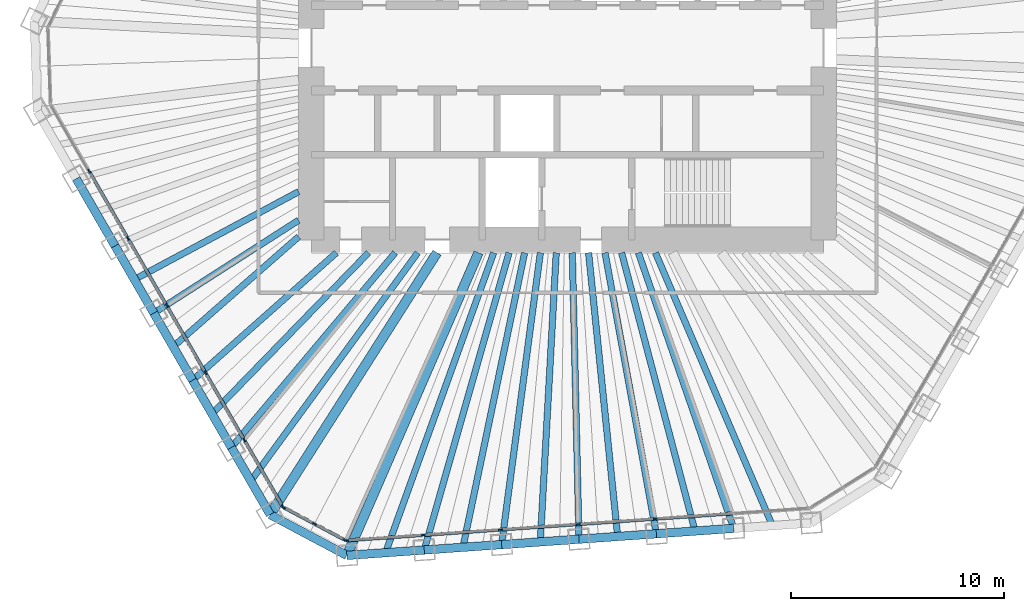
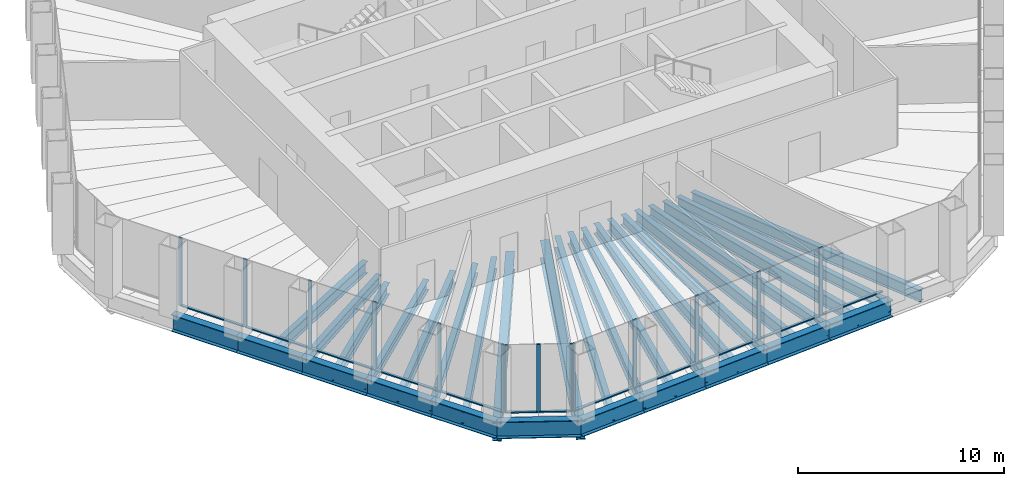
# One storey, part 2 of 13: 31 beams, 26 members, 3 elements without a shape of their own.
"""IFC4 building model written with IfcOpenShell, lengths in metres."""

from ifc_helpers import new_model, si_unit, direction, frame, origin, origin_2d, place, context, subcontext, project, spatial, rectangle, i_section, extrude, material, material_profile, profile_set, type_object, element, aggregate, save


model = new_model("IFC4")

# Units and contexts
model_context = context("Model", 3, precision=1e-05, world=origin(), true_north=direction((0.0, 1.0)))
body_context = subcontext(model_context, "Body", "Model", "MODEL_VIEW")
ifc_project = project(units=[si_unit("LENGTHUNIT", "METRE"), si_unit("AREAUNIT", "SQUARE_METRE"), si_unit("VOLUMEUNIT", "CUBIC_METRE"), si_unit("PLANEANGLEUNIT", "RADIAN"), si_unit("MASSUNIT", "GRAM", prefix="KILO")], contexts=[model_context])

# Site, building, storey
site_placement = place(None, origin())
site = spatial("IfcSite", under=ifc_project, at=site_placement, CompositionType="ELEMENT")
building_placement = place(site_placement, origin())
building = spatial("IfcBuilding", under=site, at=building_placement, Name="Qingtian Harvest Tower", CompositionType="ELEMENT")
storey_placement = place(building_placement, frame((0.0, 0.0, 230.800048828125)))
storey = spatial("IfcBuildingStorey", under=building, at=storey_placement, Name="L50", CompositionType="ELEMENT", Elevation=230.800048828125)

# Beams
ifc_material_1 = material(Name="Steel SM570MC", Category="steel")
ifc_material_profile_1 = material_profile(ifc_material_1, i_section(OverallWidth=0.449951171875, OverallDepth=1.10009765625, WebThickness=0.02197265625, FlangeThickness=0.044921875, at=origin_2d()), Name="H1100x450x22x45")
ifc_profile_set_1 = profile_set([ifc_material_profile_1], Name="Steel SM570MC")
beam_type_1 = type_object("IfcBeamType", Name="Corner floor beam FB8 H1100x450x22x45", PredefinedType="BEAM", material=ifc_profile_set_1)
beam_1_placement = place(storey_placement, frame((-10.33837890625, -23.779052734375, -0.719970703125), z_axis=(0.398714563353, 0.917075077063, 0.0), x_axis=(-0.917075077063, 0.398714563353, 0.0)))
element("IfcBeam", 1, at=beam_1_placement, inside=storey, type_object=beam_type_1, Name="Floor beam FB8 S6", PredefinedType="BEAM", context=body_context, shape_type="SweptSolid", body=[
    extrude(i_section(OverallWidth=0.449951171875, OverallDepth=1.10009765625, WebThickness=0.02197265625, FlangeThickness=0.044921875, at=origin_2d()), origin(), (0.0, 0.0, 1.0), 15.461181640625),
])
beam_2_placement = place(storey_placement, frame((-13.9326171875, -21.8681640625, -0.719970703125), z_axis=(0.537326103898, 0.8433745657, 0.0), x_axis=(-0.8433745657, 0.537326103898, 0.0)))
element("IfcBeam", 2, at=beam_2_placement, inside=storey, type_object=beam_type_1, Name="Floor beam FB8 SW0", PredefinedType="BEAM", context=body_context, shape_type="SweptSolid", body=[
    extrude(i_section(OverallWidth=0.449951171875, OverallDepth=1.10009765625, WebThickness=0.02197265625, FlangeThickness=0.044921875, at=origin_2d()), origin(), (0.0, 0.0, 1.0), 14.54638671875),
])
ifc_material_2 = material(Name="Steel SN490B", Category="steel")
ifc_material_profile_2 = material_profile(ifc_material_2, i_section(OverallWidth=0.300048828125, OverallDepth=0.699951171875, WebThickness=0.012939453125, FlangeThickness=0.02392578125, at=origin_2d()), Name="H700x300x13x24")
ifc_profile_set_2 = profile_set([ifc_material_profile_2], Name="Steel SN490B")
beam_type_2 = type_object("IfcBeamType", Name="Floor beam FB2 H700x300x13x24", PredefinedType="BEAM", material=ifc_profile_set_2)
beam_3_placement = place(storey_placement, frame((-6.713623046875, -23.525634765625, -0.52001953125), z_axis=(0.274411610503, 0.961612327303, 0.0), x_axis=(-0.961612327303, 0.274411610503, 0.0)))
element("IfcBeam", 3, at=beam_3_placement, inside=storey, type_object=beam_type_2, Name="Floor beam FB2 S5", PredefinedType="BEAM", context=body_context, shape_type="SweptSolid", body=[
    extrude(i_section(OverallWidth=0.300048828125, OverallDepth=0.699951171875, WebThickness=0.012939453125, FlangeThickness=0.02392578125, at=origin_2d()), origin(), (0.0, 0.0, 1.0), 14.4814453125),
])
ifc_material_3 = material(Name="Steel SN490B", Category="steel")
ifc_material_profile_3 = material_profile(ifc_material_3, i_section(OverallWidth=0.300048828125, OverallDepth=0.60009765625, WebThickness=0.011962890625, FlangeThickness=0.02001953125, at=origin_2d()), Name="H600x300x12x20")
ifc_profile_set_3 = profile_set([ifc_material_profile_3], Name="Steel SN490B")
beam_type_3 = type_object("IfcBeamType", Name="Floor beam FB3 H600x300x12x20", PredefinedType="BEAM", material=ifc_profile_set_3)
beam_4_placement = place(storey_placement, frame((7.78515625, -22.51171875, -0.469970703125), z_axis=(-0.326844175409, 0.945078242793, 0.0), x_axis=(-0.945078242793, -0.326844175409, 0.0)))
element("IfcBeam", 4, at=beam_4_placement, inside=storey, type_object=beam_type_3, Name="Floor beam FB3 S1", PredefinedType="BEAM", context=body_context, shape_type="SweptSolid", body=[
    extrude(i_section(OverallWidth=0.300048828125, OverallDepth=0.60009765625, WebThickness=0.011962890625, FlangeThickness=0.02001953125, at=origin_2d()), origin(), (0.0, 0.0, 1.0), 13.661865234375),
])
beam_5_placement = place(storey_placement, frame((4.160400390625, -22.76513671875, -0.469970703125), z_axis=(-0.179779537209, 0.983706926885, 0.0), x_axis=(-0.983706926885, -0.179779537209, 0.0)))
element("IfcBeam", 5, at=beam_5_placement, inside=storey, type_object=beam_type_3, Name="Floor beam FB3 S2", PredefinedType="BEAM", context=body_context, shape_type="SweptSolid", body=[
    extrude(i_section(OverallWidth=0.300048828125, OverallDepth=0.60009765625, WebThickness=0.011962890625, FlangeThickness=0.02001953125, at=origin_2d()), origin(), (0.0, 0.0, 1.0), 13.383056640625),
])
beam_6_placement = place(storey_placement, frame((0.53564453125, -23.018798828125, -0.469970703125), z_axis=(-0.023263902078, 0.999729358807, 0.0), x_axis=(-0.999729358807, -0.023263902078, 0.0)))
element("IfcBeam", 6, at=beam_6_placement, inside=storey, type_object=beam_type_3, Name="Floor beam FB3 S3", PredefinedType="BEAM", context=body_context, shape_type="SweptSolid", body=[
    extrude(i_section(OverallWidth=0.300048828125, OverallDepth=0.60009765625, WebThickness=0.011962890625, FlangeThickness=0.02001953125, at=origin_2d()), origin(), (0.0, 0.0, 1.0), 13.42236328125),
])
beam_7_placement = place(storey_placement, frame((-3.089111328125, -23.272216796875, -0.469970703125), z_axis=(0.131593229442, 0.991303799027, 0.0), x_axis=(-0.991303799027, 0.131593229442, 0.0)))
element("IfcBeam", 7, at=beam_7_placement, inside=storey, type_object=beam_type_3, Name="Floor beam FB3 S4", PredefinedType="BEAM", context=body_context, shape_type="SweptSolid", body=[
    extrude(i_section(OverallWidth=0.300048828125, OverallDepth=0.60009765625, WebThickness=0.011962890625, FlangeThickness=0.02001953125, at=origin_2d()), origin(), (0.0, 0.0, 1.0), 13.7919921875),
])
beam_8_placement = place(storey_placement, frame((-15.749267578125, -18.72119140625, -0.469970703125), z_axis=(0.643763532906, 0.765224485821, 0.0), x_axis=(-0.765224485821, 0.643763532906, 0.0)))
element("IfcBeam", 8, at=beam_8_placement, inside=storey, type_object=beam_type_3, Name="Floor beam FB3 SW1", PredefinedType="BEAM", context=body_context, shape_type="SweptSolid", body=[
    extrude(i_section(OverallWidth=0.300048828125, OverallDepth=0.60009765625, WebThickness=0.011962890625, FlangeThickness=0.02001953125, at=origin_2d()), origin(), (0.0, 0.0, 1.0), 11.91943359375),
])
beam_9_placement = place(storey_placement, frame((-17.566162109375, -15.574462890625, -0.469970703125), z_axis=(0.748259768664, 0.663405847577, 0.0), x_axis=(-0.663405847577, 0.748259768664, 0.0)))
element("IfcBeam", 9, at=beam_9_placement, inside=storey, type_object=beam_type_3, Name="Floor beam FB3 SW2", PredefinedType="BEAM", context=body_context, shape_type="SweptSolid", body=[
    extrude(i_section(OverallWidth=0.300048828125, OverallDepth=0.60009765625, WebThickness=0.011962890625, FlangeThickness=0.02001953125, at=origin_2d()), origin(), (0.0, 0.0, 1.0), 9.005615234375),
])
beam_10_placement = place(storey_placement, frame((-19.3828125, -12.427734375, -0.469970703125), z_axis=(0.841823714388, 0.539752567288, 0.0), x_axis=(-0.539752567288, 0.841823714388, 0.0)))
element("IfcBeam", 10, at=beam_10_placement, inside=storey, type_object=beam_type_3, Name="Floor beam FB3 SW3", PredefinedType="BEAM", context=body_context, shape_type="SweptSolid", body=[
    extrude(i_section(OverallWidth=0.300048828125, OverallDepth=0.60009765625, WebThickness=0.011962890625, FlangeThickness=0.02001953125, at=origin_2d()), origin(), (0.0, 0.0, 1.0), 8.05712890625),
])
ifc_material_4 = material(Name="Steel SN490B", Category="steel")
ifc_material_profile_4 = material_profile(ifc_material_4, i_section(OverallWidth=0.300048828125, OverallDepth=0.699951171875, WebThickness=0.012939453125, FlangeThickness=0.02392578125, at=origin_2d()), Name="H700x300x13x24")
ifc_profile_set_4 = profile_set([ifc_material_profile_4], Name="Steel SN490B")
beam_type_4 = type_object("IfcBeamType", Name="Floor joist J2 H700x300x13x24", PredefinedType="JOIST", material=ifc_profile_set_4)
beam_11_placement = place(storey_placement, frame((9.597412109375, -22.385009765625, -0.52001953125), z_axis=(-0.394052741766, 0.919087828614, 0.0), x_axis=(-0.919087828614, -0.394052741766, 0.0)))
element("IfcBeam", 11, at=beam_11_placement, inside=storey, type_object=beam_type_4, Name="Floor joist J2 S0", PredefinedType="JOIST", context=body_context, shape_type="SweptSolid", body=[
    extrude(i_section(OverallWidth=0.300048828125, OverallDepth=0.699951171875, WebThickness=0.012939453125, FlangeThickness=0.02392578125, at=origin_2d()), origin(), (0.0, 0.0, 1.0), 13.910400390625),
])
beam_12_placement = place(storey_placement, frame((5.97265625, -22.638427734375, -0.52001953125), z_axis=(-0.255103716232, 0.9669136952, 0.0), x_axis=(-0.9669136952, -0.255103716232, 0.0)))
element("IfcBeam", 12, at=beam_12_placement, inside=storey, type_object=beam_type_4, Name="Floor joist J2 S1", PredefinedType="JOIST", context=body_context, shape_type="SweptSolid", body=[
    extrude(i_section(OverallWidth=0.300048828125, OverallDepth=0.699951171875, WebThickness=0.012939453125, FlangeThickness=0.02392578125, at=origin_2d()), origin(), (0.0, 0.0, 1.0), 13.484375),
])
beam_13_placement = place(storey_placement, frame((2.347900390625, -22.89208984375, -0.52001953125), z_axis=(-0.102028865499, 0.994781438611, 0.0), x_axis=(-0.994781438611, -0.102028865499, 0.0)))
element("IfcBeam", 13, at=beam_13_placement, inside=storey, type_object=beam_type_4, Name="Floor joist J2 S2", PredefinedType="JOIST", context=body_context, shape_type="SweptSolid", body=[
    extrude(i_section(OverallWidth=0.300048828125, OverallDepth=0.699951171875, WebThickness=0.012939453125, FlangeThickness=0.02392578125, at=origin_2d()), origin(), (0.0, 0.0, 1.0), 13.36181640625),
])
beam_14_placement = place(storey_placement, frame((-1.276611328125, -23.1455078125, -0.52001953125), z_axis=(0.055069329716, 0.998482533109, 0.0), x_axis=(-0.998482533109, 0.055069329716, 0.0)))
element("IfcBeam", 14, at=beam_14_placement, inside=storey, type_object=beam_type_4, Name="Floor joist J2 S3", PredefinedType="JOIST", context=body_context, shape_type="SweptSolid", body=[
    extrude(i_section(OverallWidth=0.300048828125, OverallDepth=0.699951171875, WebThickness=0.012939453125, FlangeThickness=0.02392578125, at=origin_2d()), origin(), (0.0, 0.0, 1.0), 13.56591796875),
])
beam_15_placement = place(storey_placement, frame((-4.9013671875, -23.39892578125, -0.52001953125), z_axis=(0.205016322093, 0.978758554331, 0.0), x_axis=(-0.978758554331, 0.205016322093, 0.0)))
element("IfcBeam", 15, at=beam_15_placement, inside=storey, type_object=beam_type_4, Name="Floor joist J2 S4", PredefinedType="JOIST", context=body_context, shape_type="SweptSolid", body=[
    extrude(i_section(OverallWidth=0.300048828125, OverallDepth=0.699951171875, WebThickness=0.012939453125, FlangeThickness=0.02392578125, at=origin_2d()), origin(), (0.0, 0.0, 1.0), 14.098388671875),
])
beam_16_placement = place(storey_placement, frame((-8.526123046875, -23.65234375, -0.52001953125), z_axis=(0.339126305921, 0.940740850943, 0.0), x_axis=(-0.940740850943, 0.339126305921, 0.0)))
element("IfcBeam", 16, at=beam_16_placement, inside=storey, type_object=beam_type_4, Name="Floor joist J2 S5", PredefinedType="JOIST", context=body_context, shape_type="SweptSolid", body=[
    extrude(i_section(OverallWidth=0.300048828125, OverallDepth=0.699951171875, WebThickness=0.012939453125, FlangeThickness=0.02392578125, at=origin_2d()), origin(), (0.0, 0.0, 1.0), 14.9375),
])
beam_17_placement = place(storey_placement, frame((-14.841064453125, -20.294677734375, -0.52001953125), z_axis=(0.590288677526, 0.807192218238, 0.0), x_axis=(-0.807192218238, 0.590288677526, 0.0)))
element("IfcBeam", 17, at=beam_17_placement, inside=storey, type_object=beam_type_4, Name="Floor joist J2 SW0", PredefinedType="JOIST", context=body_context, shape_type="SweptSolid", body=[
    extrude(i_section(OverallWidth=0.300048828125, OverallDepth=0.699951171875, WebThickness=0.012939453125, FlangeThickness=0.02392578125, at=origin_2d()), origin(), (0.0, 0.0, 1.0), 13.2490234375),
])
beam_18_placement = place(storey_placement, frame((-16.65771484375, -17.14794921875, -0.52001953125), z_axis=(0.696777499009, 0.717287332158, 0.0), x_axis=(-0.717287332158, 0.696777499009, 0.0)))
element("IfcBeam", 18, at=beam_18_placement, inside=storey, type_object=beam_type_4, Name="Floor joist J2 SW1", PredefinedType="JOIST", context=body_context, shape_type="SweptSolid", body=[
    extrude(i_section(OverallWidth=0.300048828125, OverallDepth=0.699951171875, WebThickness=0.012939453125, FlangeThickness=0.02392578125, at=origin_2d()), origin(), (0.0, 0.0, 1.0), 10.522705078125),
])
beam_19_placement = place(storey_placement, frame((-18.474609375, -14.001220703125, -0.52001953125), z_axis=(0.751883296969, 0.659296221542, 0.0), x_axis=(-0.659296221542, 0.751883296969, 0.0)))
element("IfcBeam", 19, at=beam_19_placement, inside=storey, type_object=beam_type_4, Name="Floor joist J2 SW2", PredefinedType="JOIST", context=body_context, shape_type="SweptSolid", body=[
    extrude(i_section(OverallWidth=0.300048828125, OverallDepth=0.699951171875, WebThickness=0.012939453125, FlangeThickness=0.02392578125, at=origin_2d()), origin(), (0.0, 0.0, 1.0), 7.81298828125),
])
beam_20_placement = place(storey_placement, frame((-20.291259765625, -10.8544921875, -0.52001953125), z_axis=(0.881766503154, 0.471686160402, 0.0), x_axis=(-0.471686160402, 0.881766503154, 0.0)))
element("IfcBeam", 20, at=beam_20_placement, inside=storey, type_object=beam_type_4, Name="Floor joist J2 SW3", PredefinedType="JOIST", context=body_context, shape_type="SweptSolid", body=[
    extrude(i_section(OverallWidth=0.300048828125, OverallDepth=0.699951171875, WebThickness=0.012939453125, FlangeThickness=0.02392578125, at=origin_2d()), origin(), (0.0, 0.0, 1.0), 8.722412109375),
])

# Curtain wall, members
ifc_material_5 = material(Name="Bronze-anodised aluminium curtain wall", Category="aluminium")
curtain_wall_type = type_object("IfcCurtainWallType", Name="Curtain wall CW4 office", PredefinedType="USERDEFINED", material=ifc_material_5)
curtain_wall_1_placement = place(storey_placement, origin())
curtain_wall_1 = element("IfcCurtainWall", 21, at=curtain_wall_1_placement, inside=storey, type_object=curtain_wall_type, Name="Curtain wall CW4 L50 S0-5", ObjectType="RECESSED CURTAIN WALL", PredefinedType="USERDEFINED")
ifc_material_6 = material(Name="Bronze-anodised aluminium mullion", Category="aluminium")
ifc_material_profile_5 = material_profile(ifc_material_6, rectangle(XDim=0.06494140625, YDim=0.199951171875, at=origin_2d()), Name="AL 65x200")
ifc_profile_set_5 = profile_set([ifc_material_profile_5], Name="Bronze-anodised aluminium mullion")
member_type_1 = type_object("IfcMemberType", Name="Mullion CWM 65x200", PredefinedType="MULLION", material=ifc_profile_set_5)
member_1_placement = place(storey_placement, frame((4.111572265625, -22.06689453125, 0.0), z_axis=(0.0, 0.0, 1.0), x_axis=(0.069756473744, -0.99756405026, 0.0)))
member_1 = element("IfcMember", 22, at=member_1_placement, type_object=member_type_1, Name="CW4 mullion 3", PredefinedType="MULLION", context=body_context, shape_type="SweptSolid", body=[
    extrude(rectangle(XDim=0.06494140625, YDim=0.199951171875, at=origin_2d()), origin(), (0.0, 0.0, 1.0), 4.030029296875),
])
member_2_placement = place(storey_placement, frame((0.48681640625, -22.3203125, 0.0), z_axis=(0.0, 0.0, 1.0), x_axis=(0.069756473744, -0.99756405026, 0.0)))
member_2 = element("IfcMember", 23, at=member_2_placement, type_object=member_type_1, Name="CW4 mullion 4", PredefinedType="MULLION", context=body_context, shape_type="SweptSolid", body=[
    extrude(rectangle(XDim=0.06494140625, YDim=0.199951171875, at=origin_2d()), origin(), (0.0, 0.0, 1.0), 4.030029296875),
])
member_3_placement = place(storey_placement, frame((-3.137939453125, -22.573974609375, 0.0), z_axis=(0.0, 0.0, 1.0), x_axis=(0.069756473744, -0.99756405026, 0.0)))
member_3 = element("IfcMember", 24, at=member_3_placement, type_object=member_type_1, Name="CW4 mullion 5", PredefinedType="MULLION", context=body_context, shape_type="SweptSolid", body=[
    extrude(rectangle(XDim=0.06494140625, YDim=0.199951171875, at=origin_2d()), origin(), (0.0, 0.0, 1.0), 4.030029296875),
])
member_4_placement = place(storey_placement, frame((-6.762451171875, -22.827392578125, 0.0), z_axis=(0.0, 0.0, 1.0), x_axis=(0.069756473744, -0.99756405026, 0.0)))
member_4 = element("IfcMember", 25, at=member_4_placement, type_object=member_type_1, Name="CW4 mullion 6", PredefinedType="MULLION", context=body_context, shape_type="SweptSolid", body=[
    extrude(rectangle(XDim=0.06494140625, YDim=0.199951171875, at=origin_2d()), origin(), (0.0, 0.0, 1.0), 4.030029296875),
])
member_5_placement = place(storey_placement, frame((-10.354736328125, -23.07861328125, 0.0), z_axis=(0.0, 0.0, 1.0), x_axis=(0.069756473744, -0.99756405026, 0.0)))
member_5 = element("IfcMember", 26, at=member_5_placement, type_object=member_type_1, Name="CW4 mullion 7", PredefinedType="MULLION", context=body_context, shape_type="SweptSolid", body=[
    extrude(rectangle(XDim=0.06494140625, YDim=0.199951171875, at=origin_2d()), origin(), (0.0, 0.0, 1.0), 4.030029296875),
])

curtain_wall_2_placement = place(storey_placement, origin())
curtain_wall_2 = element("IfcCurtainWall", 27, at=curtain_wall_2_placement, inside=storey, type_object=curtain_wall_type, Name="Curtain wall CW4 L50 SC", ObjectType="RECESSED CURTAIN WALL", PredefinedType="USERDEFINED")
member_6_placement = place(storey_placement, frame((-10.416015625, -23.0654296875, 0.0), z_axis=(0.0, 0.0, 1.0), x_axis=(-0.469471562786, -0.882947592859, 0.0)))
member_6 = element("IfcMember", 28, at=member_6_placement, type_object=member_type_1, Name="CW4 mullion 1", PredefinedType="MULLION", context=body_context, shape_type="SweptSolid", body=[
    extrude(rectangle(XDim=0.06494140625, YDim=0.199951171875, at=origin_2d()), origin(), (0.0, 0.0, 1.0), 4.030029296875),
])
member_7_placement = place(storey_placement, frame((-11.85693359375, -22.29931640625, 0.0), z_axis=(0.0, 0.0, 1.0), x_axis=(-0.469471562786, -0.882947592859, 0.0)))
member_7 = element("IfcMember", 29, at=member_7_placement, type_object=member_type_1, Name="CW4 mullion 2", PredefinedType="MULLION", context=body_context, shape_type="SweptSolid", body=[
    extrude(rectangle(XDim=0.06494140625, YDim=0.199951171875, at=origin_2d()), origin(), (0.0, 0.0, 1.0), 4.030029296875),
])
member_8_placement = place(storey_placement, frame((-13.297607421875, -21.533203125, 0.0), z_axis=(0.0, 0.0, 1.0), x_axis=(-0.469471562786, -0.882947592859, 0.0)))
member_8 = element("IfcMember", 30, at=member_8_placement, type_object=member_type_1, Name="CW4 mullion 3", PredefinedType="MULLION", context=body_context, shape_type="SweptSolid", body=[
    extrude(rectangle(XDim=0.06494140625, YDim=0.199951171875, at=origin_2d()), origin(), (0.0, 0.0, 1.0), 4.030029296875),
])

curtain_wall_3_placement = place(storey_placement, origin())
curtain_wall_3 = element("IfcCurtainWall", 31, at=curtain_wall_3_placement, inside=storey, type_object=curtain_wall_type, Name="Curtain wall CW4 L50 SW0-5", ObjectType="RECESSED CURTAIN WALL", PredefinedType="USERDEFINED")
member_9_placement = place(storey_placement, frame((-13.342529296875, -21.489990234375, 0.0), z_axis=(0.0, 0.0, 1.0), x_axis=(-0.866025403784, -0.5, 0.0)))
member_9 = element("IfcMember", 32, at=member_9_placement, type_object=member_type_1, Name="CW4 mullion 1", PredefinedType="MULLION", context=body_context, shape_type="SweptSolid", body=[
    extrude(rectangle(XDim=0.06494140625, YDim=0.199951171875, at=origin_2d()), origin(), (0.0, 0.0, 1.0), 4.030029296875),
])
member_10_placement = place(storey_placement, frame((-15.14306640625, -18.371337890625, 0.0), z_axis=(0.0, 0.0, 1.0), x_axis=(-0.866025403784, -0.5, 0.0)))
member_10 = element("IfcMember", 33, at=member_10_placement, type_object=member_type_1, Name="CW4 mullion 2", PredefinedType="MULLION", context=body_context, shape_type="SweptSolid", body=[
    extrude(rectangle(XDim=0.06494140625, YDim=0.199951171875, at=origin_2d()), origin(), (0.0, 0.0, 1.0), 4.030029296875),
])
member_11_placement = place(storey_placement, frame((-16.9599609375, -15.224609375, 0.0), z_axis=(0.0, 0.0, 1.0), x_axis=(-0.866025403784, -0.5, 0.0)))
member_11 = element("IfcMember", 34, at=member_11_placement, type_object=member_type_1, Name="CW4 mullion 3", PredefinedType="MULLION", context=body_context, shape_type="SweptSolid", body=[
    extrude(rectangle(XDim=0.06494140625, YDim=0.199951171875, at=origin_2d()), origin(), (0.0, 0.0, 1.0), 4.030029296875),
])
member_12_placement = place(storey_placement, frame((-18.776611328125, -12.077880859375, 0.0), z_axis=(0.0, 0.0, 1.0), x_axis=(-0.866025403784, -0.5, 0.0)))
member_12 = element("IfcMember", 35, at=member_12_placement, type_object=member_type_1, Name="CW4 mullion 4", PredefinedType="MULLION", context=body_context, shape_type="SweptSolid", body=[
    extrude(rectangle(XDim=0.06494140625, YDim=0.199951171875, at=origin_2d()), origin(), (0.0, 0.0, 1.0), 4.030029296875),
])
member_13_placement = place(storey_placement, frame((-20.593505859375, -8.93115234375, 0.0), z_axis=(0.0, 0.0, 1.0), x_axis=(-0.866025403784, -0.5, 0.0)))
member_13 = element("IfcMember", 36, at=member_13_placement, type_object=member_type_1, Name="CW4 mullion 5", PredefinedType="MULLION", context=body_context, shape_type="SweptSolid", body=[
    extrude(rectangle(XDim=0.06494140625, YDim=0.199951171875, at=origin_2d()), origin(), (0.0, 0.0, 1.0), 4.030029296875),
])
member_14_placement = place(storey_placement, frame((-22.41015625, -5.784423828125, 0.0), z_axis=(0.0, 0.0, 1.0), x_axis=(-0.866025403784, -0.5, 0.0)))
member_14 = element("IfcMember", 37, at=member_14_placement, type_object=member_type_1, Name="CW4 mullion 6", PredefinedType="MULLION", context=body_context, shape_type="SweptSolid", body=[
    extrude(rectangle(XDim=0.06494140625, YDim=0.199951171875, at=origin_2d()), origin(), (0.0, 0.0, 1.0), 4.030029296875),
])

# Beams
ifc_material_7 = material(Name="Steel SN490B", Category="steel")
ifc_material_profile_6 = material_profile(ifc_material_7, i_section(OverallWidth=0.39990234375, OverallDepth=1.0, WebThickness=0.01904296875, FlangeThickness=0.035888671875, at=origin_2d()), Name="H1000x400x19x36")
ifc_profile_set_6 = profile_set([ifc_material_profile_6], Name="Steel SN490B")
beam_type_5 = type_object("IfcBeamType", Name="Spandrel beam SB3 H1000x400x19x36", PredefinedType="SPANDREL", material=ifc_profile_set_6)
for number, where, z_axis, x_axis, name in (
    (38, (7.78515625, -22.51171875, -0.5), (-0.997565001055, -0.069742875402, 0.0), (0.069742875402, -0.997565001055, 0.0), "Spandrel SB3 S1"),
    (39, (4.160400390625, -22.76513671875, -0.5), (-0.997560324246, -0.069809737785, 0.0), (0.069809737785, -0.997560324246, 0.0), "Spandrel SB3 S2"),
    (40, (0.53564453125, -23.018798828125, -0.5), (-0.997565001055, -0.069742875402, 0.0), (0.069742875402, -0.997565001055, 0.0), "Spandrel SB3 S3"),
):
    element("IfcBeam", number, at=place(storey_placement, frame(where, z_axis=z_axis, x_axis=x_axis)), inside=storey, type_object=beam_type_5, Name=name, PredefinedType="SPANDREL", context=body_context, shape_type="SweptSolid", body=[
        extrude(i_section(OverallWidth=0.39990234375, OverallDepth=1.0, WebThickness=0.01904296875, FlangeThickness=0.035888671875, at=origin_2d()), origin(), (0.0, 0.0, 1.0), 3.633544921875),
    ])
beam_21_placement = place(storey_placement, frame((-3.089111328125, -23.272216796875, -0.5), z_axis=(-0.997564674207, -0.069747550305, 0.0), x_axis=(0.069747550305, -0.997564674207, 0.0)))
element("IfcBeam", 41, at=beam_21_placement, inside=storey, type_object=beam_type_5, Name="Spandrel SB3 S4", PredefinedType="SPANDREL", context=body_context, shape_type="SweptSolid", body=[
    extrude(i_section(OverallWidth=0.39990234375, OverallDepth=1.0, WebThickness=0.01904296875, FlangeThickness=0.035888671875, at=origin_2d()), origin(), (0.0, 0.0, 1.0), 3.63330078125),
])
beam_22_placement = place(storey_placement, frame((-6.713623046875, -23.525634765625, -0.5), z_axis=(-0.997565001055, -0.069742875402, 0.0), x_axis=(0.069742875402, -0.997565001055, 0.0)))
element("IfcBeam", 42, at=beam_22_placement, inside=storey, type_object=beam_type_5, Name="Spandrel SB3 S5", PredefinedType="SPANDREL", context=body_context, shape_type="SweptSolid", body=[
    extrude(i_section(OverallWidth=0.39990234375, OverallDepth=1.0, WebThickness=0.01904296875, FlangeThickness=0.035888671875, at=origin_2d()), origin(), (0.0, 0.0, 1.0), 3.633544921875),
])
beam_23_placement = place(storey_placement, frame((-10.33837890625, -23.779052734375, -0.5), z_axis=(-0.882968133669, 0.469432929101, 0.0), x_axis=(-0.469432929101, -0.882968133669, 0.0)))
element("IfcBeam", 43, at=beam_23_placement, inside=storey, type_object=beam_type_5, Name="Spandrel SB3 SC", PredefinedType="SPANDREL", context=body_context, shape_type="SweptSolid", body=[
    extrude(i_section(OverallWidth=0.39990234375, OverallDepth=1.0, WebThickness=0.01904296875, FlangeThickness=0.035888671875, at=origin_2d()), origin(), (0.0, 0.0, 1.0), 4.070556640625),
])
beam_24_placement = place(storey_placement, frame((-13.9326171875, -21.8681640625, -0.5), z_axis=(-0.499947341849, 0.866055803848, 0.0), x_axis=(-0.866055803848, -0.499947341849, 0.0)))
element("IfcBeam", 44, at=beam_24_placement, inside=storey, type_object=beam_type_5, Name="Spandrel SB3 SW0", PredefinedType="SPANDREL", context=body_context, shape_type="SweptSolid", body=[
    extrude(i_section(OverallWidth=0.39990234375, OverallDepth=1.0, WebThickness=0.01904296875, FlangeThickness=0.035888671875, at=origin_2d()), origin(), (0.0, 0.0, 1.0), 3.6337890625),
])
for number, where, z_axis, x_axis, name in (
    (45, (-15.749267578125, -18.72119140625, -0.5), (-0.500026827678, 0.866009914263, 0.0), (-0.866009914263, -0.500026827678, 0.0), "Spandrel SB3 SW1"),
    (46, (-17.566162109375, -15.574462890625, -0.5), (-0.499976434558, 0.866039008871, 0.0), (-0.866039008871, -0.499976434558, 0.0), "Spandrel SB3 SW2"),
    (47, (-19.3828125, -12.427734375, -0.5), (-0.500026827678, 0.866009914263, 0.0), (-0.866009914263, -0.500026827678, 0.0), "Spandrel SB3 SW3"),
    (48, (-21.19970703125, -9.281005859375, -0.5), (-0.499976434558, 0.866039008871, 0.0), (-0.866039008871, -0.499976434558, 0.0), "Spandrel SB3 SW4"),
):
    element("IfcBeam", number, at=place(storey_placement, frame(where, z_axis=z_axis, x_axis=x_axis)), inside=storey, type_object=beam_type_5, Name=name, PredefinedType="SPANDREL", context=body_context, shape_type="SweptSolid", body=[
        extrude(i_section(OverallWidth=0.39990234375, OverallDepth=1.0, WebThickness=0.01904296875, FlangeThickness=0.035888671875, at=origin_2d()), origin(), (0.0, 0.0, 1.0), 3.633544921875),
    ])

# Member
ifc_material_8 = material(Name="Bronze-anodised aluminium transom", Category="aluminium")
ifc_material_profile_7 = material_profile(ifc_material_8, rectangle(XDim=0.14990234375, YDim=0.06494140625, at=origin_2d()), Name="AL 65x150")
ifc_profile_set_7 = profile_set([ifc_material_profile_7], Name="Bronze-anodised aluminium transom")
member_type_2 = type_object("IfcMemberType", Name="Transom CWT 65x150", PredefinedType="USERDEFINED", material=ifc_profile_set_7)
member_15_placement = place(storey_placement, frame((7.703857421875, -21.815673828125, 0.032470703125), z_axis=(-0.997562159126, -0.069783512949, 0.0), x_axis=(0.069783512949, -0.997562159126, 0.0)))
member_15 = element("IfcMember", 49, at=member_15_placement, type_object=member_type_2, Name="CW4 transom 2.1", ObjectType="TRANSOM", PredefinedType="USERDEFINED", context=body_context, shape_type="SweptSolid", body=[
    extrude(rectangle(XDim=0.14990234375, YDim=0.06494140625, at=origin_2d()), origin(), (0.0, 0.0, 1.0), 3.568603515625),
])

member_16_placement = place(storey_placement, frame((4.0791015625, -22.0693359375, 0.032470703125), z_axis=(-0.99756691944, -0.069715430417, 0.0), x_axis=(0.069715430417, -0.99756691944, 0.0)))
member_16 = element("IfcMember", 50, at=member_16_placement, type_object=member_type_2, Name="CW4 transom 3.1", ObjectType="TRANSOM", PredefinedType="USERDEFINED", context=body_context, shape_type="SweptSolid", body=[
    extrude(rectangle(XDim=0.14990234375, YDim=0.06494140625, at=origin_2d()), origin(), (0.0, 0.0, 1.0), 3.568603515625),
])

member_17_placement = place(storey_placement, frame((0.454345703125, -22.32275390625, 0.032470703125), z_axis=(-0.99756691944, -0.069715430417, 0.0), x_axis=(0.069715430417, -0.99756691944, 0.0)))
member_17 = element("IfcMember", 51, at=member_17_placement, type_object=member_type_2, Name="CW4 transom 4.1", ObjectType="TRANSOM", PredefinedType="USERDEFINED", context=body_context, shape_type="SweptSolid", body=[
    extrude(rectangle(XDim=0.14990234375, YDim=0.06494140625, at=origin_2d()), origin(), (0.0, 0.0, 1.0), 3.568603515625),
])

member_18_placement = place(storey_placement, frame((-3.170166015625, -22.576171875, 0.032470703125), z_axis=(-0.997567251922, -0.069710672727, 0.0), x_axis=(0.069710672727, -0.997567251922, 0.0)))
member_18 = element("IfcMember", 52, at=member_18_placement, type_object=member_type_2, Name="CW4 transom 5.1", ObjectType="TRANSOM", PredefinedType="USERDEFINED", context=body_context, shape_type="SweptSolid", body=[
    extrude(rectangle(XDim=0.14990234375, YDim=0.06494140625, at=origin_2d()), origin(), (0.0, 0.0, 1.0), 3.56884765625),
])

member_19_placement = place(storey_placement, frame((-6.794921875, -22.82958984375, 0.032470703125), z_axis=(-0.997565839557, -0.069730880888, 0.0), x_axis=(0.069730880888, -0.997565839557, 0.0)))
member_19 = element("IfcMember", 53, at=member_19_placement, type_object=member_type_2, Name="CW4 transom 6.1", ObjectType="TRANSOM", PredefinedType="USERDEFINED", context=body_context, shape_type="SweptSolid", body=[
    extrude(rectangle(XDim=0.14990234375, YDim=0.06494140625, at=origin_2d()), origin(), (0.0, 0.0, 1.0), 3.5361328125),
])

aggregate(curtain_wall_1, [member_1, member_2, member_3, member_4, member_5, member_15, member_16, member_17, member_18, member_19])

member_20_placement = place(storey_placement, frame((-10.444580078125, -23.05029296875, 0.032470703125), z_axis=(-0.882960338349, 0.46944759122, 0.0), x_axis=(-0.46944759122, -0.882960338349, 0.0)))
member_20 = element("IfcMember", 54, at=member_20_placement, type_object=member_type_2, Name="CW4 transom 1.1", ObjectType="TRANSOM", PredefinedType="USERDEFINED", context=body_context, shape_type="SweptSolid", body=[
    extrude(rectangle(XDim=0.14990234375, YDim=0.06494140625, at=origin_2d()), origin(), (0.0, 0.0, 1.0), 1.56689453125),
])

member_21_placement = place(storey_placement, frame((-11.885498046875, -22.2841796875, 0.032470703125), z_axis=(-0.882960338349, 0.46944759122, 0.0), x_axis=(-0.46944759122, -0.882960338349, 0.0)))
member_21 = element("IfcMember", 55, at=member_21_placement, type_object=member_type_2, Name="CW4 transom 2.1", ObjectType="TRANSOM", PredefinedType="USERDEFINED", context=body_context, shape_type="SweptSolid", body=[
    extrude(rectangle(XDim=0.14990234375, YDim=0.06494140625, at=origin_2d()), origin(), (0.0, 0.0, 1.0), 1.56689453125),
])

aggregate(curtain_wall_2, [member_6, member_7, member_8, member_20, member_21])

member_22_placement = place(storey_placement, frame((-13.35888671875, -21.461669921875, 0.032470703125), z_axis=(-0.500015305566, 0.866016566931, 0.0), x_axis=(-0.866016566931, -0.500015305566, 0.0)))
member_22 = element("IfcMember", 56, at=member_22_placement, type_object=member_type_2, Name="CW4 transom 1.1", ObjectType="TRANSOM", PredefinedType="USERDEFINED", context=body_context, shape_type="SweptSolid", body=[
    extrude(rectangle(XDim=0.14990234375, YDim=0.06494140625, at=origin_2d()), origin(), (0.0, 0.0, 1.0), 3.5361328125),
])

member_23_placement = place(storey_placement, frame((-15.159423828125, -18.34326171875, 0.032470703125), z_axis=(-0.499965259726, 0.866045460162, 0.0), x_axis=(-0.866045460162, -0.499965259726, 0.0)))
member_23 = element("IfcMember", 57, at=member_23_placement, type_object=member_type_2, Name="CW4 transom 2.1", ObjectType="TRANSOM", PredefinedType="USERDEFINED", context=body_context, shape_type="SweptSolid", body=[
    extrude(rectangle(XDim=0.14990234375, YDim=0.06494140625, at=origin_2d()), origin(), (0.0, 0.0, 1.0), 3.568603515625),
])

member_24_placement = place(storey_placement, frame((-16.97607421875, -15.1962890625, 0.032470703125), z_axis=(-0.500046194516, 0.865998731726, 0.0), x_axis=(-0.865998731726, -0.500046194516, 0.0)))
member_24 = element("IfcMember", 58, at=member_24_placement, type_object=member_type_2, Name="CW4 transom 3.1", ObjectType="TRANSOM", PredefinedType="USERDEFINED", context=body_context, shape_type="SweptSolid", body=[
    extrude(rectangle(XDim=0.14990234375, YDim=0.06494140625, at=origin_2d()), origin(), (0.0, 0.0, 1.0), 3.568603515625),
])

member_25_placement = place(storey_placement, frame((-18.79296875, -12.049560546875, 0.032470703125), z_axis=(-0.499994883695, 0.866028357664, 0.0), x_axis=(-0.866028357664, -0.499994883695, 0.0)))
member_25 = element("IfcMember", 59, at=member_25_placement, type_object=member_type_2, Name="CW4 transom 4.1", ObjectType="TRANSOM", PredefinedType="USERDEFINED", context=body_context, shape_type="SweptSolid", body=[
    extrude(rectangle(XDim=0.14990234375, YDim=0.06494140625, at=origin_2d()), origin(), (0.0, 0.0, 1.0), 3.568359375),
])

member_26_placement = place(storey_placement, frame((-20.609619140625, -8.90283203125, 0.032470703125), z_axis=(-0.500046194516, 0.865998731726, 0.0), x_axis=(-0.865998731726, -0.500046194516, 0.0)))
member_26 = element("IfcMember", 60, at=member_26_placement, type_object=member_type_2, Name="CW4 transom 5.1", ObjectType="TRANSOM", PredefinedType="USERDEFINED", context=body_context, shape_type="SweptSolid", body=[
    extrude(rectangle(XDim=0.14990234375, YDim=0.06494140625, at=origin_2d()), origin(), (0.0, 0.0, 1.0), 3.568603515625),
])

aggregate(curtain_wall_3, [member_9, member_10, member_11, member_12, member_13, member_14, member_22, member_23, member_24, member_25, member_26])

save(model, "model.ifc")
